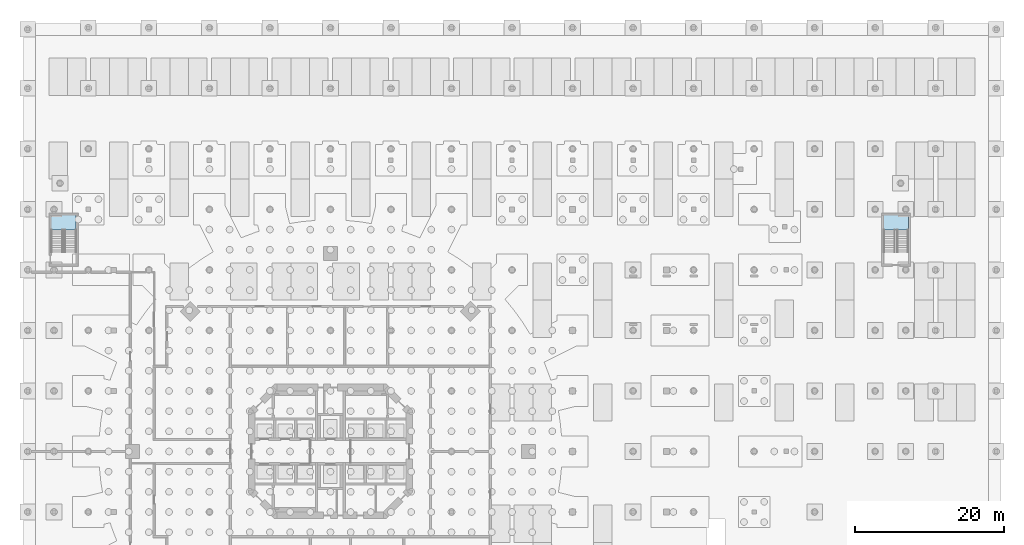
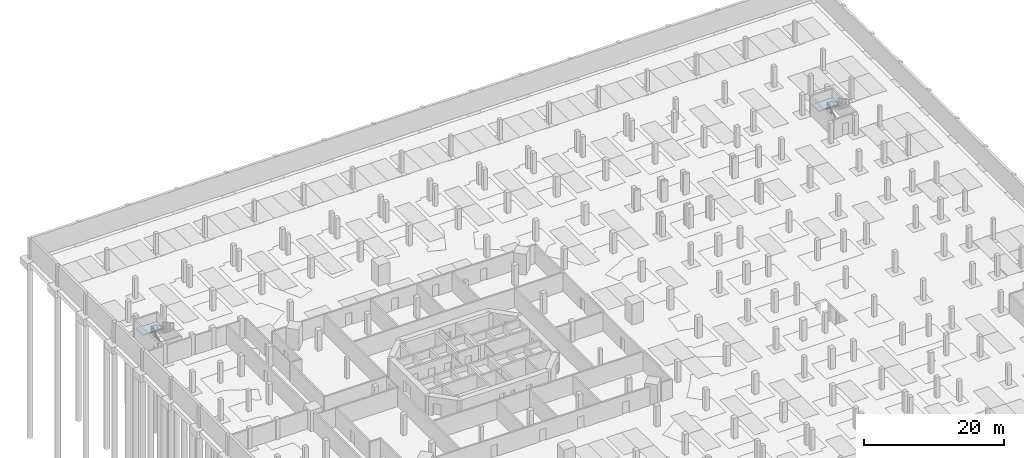
# One storey, part 10 of 23: 2 slabs, 2 elements without a shape of their own.
"""IFC4 building model written with IfcOpenShell, lengths in metres."""

import ifcopenshell
import ifcopenshell.guid

model = None  # the IFC model being written
_history = None  # IfcOwnerHistory: only IFC2X3 demands one
_inside = {}  # id of a spatial element -> (the spatial element, [elements in it])
_under = {}  # id of a project, library or spatial element -> (it, [spatial elements below it])
_declared = {}  # id of a project -> (the project, [libraries it declares])
_typed = {}  # id of a type object -> (the type object, [elements of that type])
_made_of = {}  # id of a material, layer set ... -> (it, [elements and type objects made of it])


def new_model(schema):
    """Start an empty IFC model of exactly this schema.

    Asked for "IFC4X3", IfcOpenShell would pick the latest addendum, in which some entities
    have other attributes; the version numbers below select the first issue.
    IFC2X3 requires an IfcOwnerHistory on every rooted entity: one is made here for all.
    """
    global model, _history
    if schema == "IFC4X3":
        model = ifcopenshell.file(schema_version=(4, 3, 0, 0))
    else:
        model = ifcopenshell.file(schema=schema)
    _inside.clear()
    _under.clear()
    _declared.clear()
    _typed.clear()
    _made_of.clear()
    _history = None
    if model.schema == "IFC2X3":
        org = make("IfcOrganization", Name="unknown")
        user = make(
            "IfcPersonAndOrganization",
            ThePerson=make("IfcPerson", FamilyName="unknown"),
            TheOrganization=org,
        )
        app = make(
            "IfcApplication",
            ApplicationDeveloper=org,
            Version="unknown",
            ApplicationFullName="unknown",
            ApplicationIdentifier="unknown",
        )
        _history = make(
            "IfcOwnerHistory",
            OwningUser=user,
            OwningApplication=app,
            ChangeAction="ADDED",
            CreationDate=0,
        )
    return model


def make(cls, **values):
    """One entity of the class cls with the attributes given. An attribute that is None is left unset."""
    return model.create_entity(
        cls, **{name: value for name, value in values.items() if value is not None}
    )


def rooted(cls, **values):
    """An entity with a GlobalId (a new one), such as an element, a storey or a relation."""
    return make(cls, GlobalId=ifcopenshell.guid.new(), OwnerHistory=_history, **values)


def si_unit(unit_type, name, prefix=None):
    """IfcSIUnit, for example si_unit("LENGTHUNIT", "METRE", prefix="MILLI")."""
    return make("IfcSIUnit", UnitType=unit_type, Prefix=prefix, Name=name)


def assignment(units):
    """IfcUnitAssignment: the units of a project."""
    return None if units is None else make("IfcUnitAssignment", Units=units)


def point(xyz):
    """IfcCartesianPoint."""
    return None if xyz is None else make("IfcCartesianPoint", Coordinates=xyz)


def direction(xyz):
    """IfcDirection."""
    return None if xyz is None else make("IfcDirection", DirectionRatios=xyz)


def frame(location, z_axis=None, x_axis=None):
    """IfcAxis2Placement3D, a coordinate frame: its origin and axes. An axis left out is left unset."""
    return make(
        "IfcAxis2Placement3D",
        Location=point(location),
        Axis=direction(z_axis),
        RefDirection=direction(x_axis),
    )


def origin():
    """The frame at (0, 0, 0) with its axes left unset."""
    return frame((0.0, 0.0, 0.0))


def place(relative_to, where):
    """IfcLocalPlacement: puts the frame where relative to a parent placement (None: the world)."""
    return make(
        "IfcLocalPlacement", PlacementRelTo=relative_to, RelativePlacement=where
    )


def context(
    kind, dimensions, precision=None, world=None, true_north=None, identifier=None
):
    """IfcGeometricRepresentationContext, for example the 3D "Model" context."""
    return make(
        "IfcGeometricRepresentationContext",
        ContextIdentifier=identifier,
        ContextType=kind,
        CoordinateSpaceDimension=dimensions,
        Precision=precision,
        WorldCoordinateSystem=world,
        TrueNorth=true_north,
    )


def subcontext(parent, identifier, kind, view, scale=None):
    """IfcGeometricRepresentationSubContext, for example "Body" below "Model"."""
    return make(
        "IfcGeometricRepresentationSubContext",
        ContextIdentifier=identifier,
        ContextType=kind,
        ParentContext=parent,
        TargetScale=scale,
        TargetView=view,
    )


def project(units=None, contexts=None):
    """IfcProject with its units and contexts."""
    return rooted(
        "IfcProject",
        Name="project",
        RepresentationContexts=contexts,
        UnitsInContext=assignment(units),
    )


def spatial(cls, under=None, at=None, **own):
    """A site, building, storey or space (cls), placed at a placement, below another one or the project."""
    s = rooted(cls, ObjectPlacement=at, **own)
    if under is not None:
        _under.setdefault(under.id(), (under, []))[1].append(s)
    return s


def polyline(points):
    """IfcPolyline through the points."""
    return make("IfcPolyline", Points=[point(p) for p in points])


def outline(outer, holes=None, kind="AREA"):
    """IfcArbitraryClosedProfileDef: a profile drawn as a closed curve; with holes, ...WithVoids."""
    if holes is None:
        return make("IfcArbitraryClosedProfileDef", ProfileType=kind, OuterCurve=outer)
    return make(
        "IfcArbitraryProfileDefWithVoids",
        ProfileType=kind,
        OuterCurve=outer,
        InnerCurves=holes,
    )


def extrude(swept, where, along, depth):
    """IfcExtrudedAreaSolid: the profile swept, set in the frame where, extruded along a direction by depth."""
    return make(
        "IfcExtrudedAreaSolid",
        SweptArea=swept,
        Position=where,
        ExtrudedDirection=direction(along),
        Depth=depth,
    )


def shape(context_of_items, identifier, shape_type, items):
    """IfcShapeRepresentation: the items that make up one representation, for example the "Body"."""
    return make(
        "IfcShapeRepresentation",
        ContextOfItems=context_of_items,
        RepresentationIdentifier=identifier,
        RepresentationType=shape_type,
        Items=items,
    )


def material(Name=None, Category=None):
    """IfcMaterial."""
    return make("IfcMaterial", Name=Name, Category=Category)


def layer(
    of_material, thickness, ventilated=None, Name=None, Category=None, Priority=None
):
    """IfcMaterialLayer: one layer of a wall or slab, of a material (None: an air gap)."""
    return make(
        "IfcMaterialLayer",
        Material=of_material,
        LayerThickness=thickness,
        IsVentilated=ventilated,
        Name=Name,
        Category=Category,
        Priority=Priority,
    )


def layer_set(layers, Name=None):
    """IfcMaterialLayerSet."""
    return make("IfcMaterialLayerSet", MaterialLayers=layers, LayerSetName=Name)


def made_of(thing, what):
    """Note that an element or type object is made of a material, layer set ...; save() writes the relation."""
    if what is not None:
        _made_of.setdefault(what.id(), (what, []))[1].append(thing)
    return thing


def type_object(cls, material=None, **own):
    """A type object (cls), such as IfcWallType, which elements share."""
    return made_of(rooted(cls, **own), material)


def element(
    cls,
    number,
    at=None,
    inside=None,
    cuts=None,
    type_object=None,
    material=None,
    context=None,
    identifier="Body",
    shape_type=None,
    held_by="IfcProductDefinitionShape",
    body=None,
    shapes=None,
    **own,
):
    """One element of the class cls, such as IfcWall. Its Tag is "e" and its number.

    at: its placement. inside: the storey or other place that contains it. cuts: it is an
    opening in that element (IfcRelVoidsElement). A single representation is given by context,
    identifier, shape_type and body (its items); several are given by shapes. held_by: the class
    of the entity that holds the representations. save() writes the other relations.
    """
    e = rooted(cls, Tag="e%d" % number, ObjectPlacement=at, **own)
    if body is not None:
        shapes = [shape(context, identifier, shape_type, body)]
    if shapes is not None:
        e.Representation = make(held_by, Representations=shapes)
    if inside is not None:
        _inside.setdefault(inside.id(), (inside, []))[1].append(e)
    if cuts is not None:
        rooted(
            "IfcRelVoidsElement", RelatingBuildingElement=cuts, RelatedOpeningElement=e
        )
    if type_object is not None:
        _typed.setdefault(type_object.id(), (type_object, []))[1].append(e)
    return made_of(e, material)


def aggregate(whole, parts):
    """IfcRelAggregates: a whole, such as a stair, and the parts it consists of."""
    return rooted("IfcRelAggregates", RelatingObject=whole, RelatedObjects=parts)


def save(model, path):
    """Write the relations noted so far, then the file.

    IfcRelAggregates (storeys below a building ...), IfcRelContainedInSpatialStructure (elements
    in a storey), IfcRelDefinesByType, IfcRelAssociatesMaterial and IfcRelDeclares: one each for
    every whole, place, type object, material and project.
    """
    for whole, parts in _under.values():
        aggregate(whole, parts)
    for where, things in _inside.values():
        rooted(
            "IfcRelContainedInSpatialStructure",
            RelatedElements=things,
            RelatingStructure=where,
        )
    for kind, things in _typed.values():
        rooted("IfcRelDefinesByType", RelatedObjects=things, RelatingType=kind)
    for what, things in _made_of.values():
        rooted("IfcRelAssociatesMaterial", RelatedObjects=things, RelatingMaterial=what)
    for by, libraries in _declared.values():
        rooted("IfcRelDeclares", RelatingContext=by, RelatedDefinitions=libraries)
    model.write(path)


model = new_model("IFC4")

# Units and contexts
model_context = context("Model", 3, precision=1e-05, world=origin(), true_north=direction((0.0, 1.0)))
body_context = subcontext(model_context, "Body", "Model", "MODEL_VIEW")
ifc_project = project(units=[si_unit("LENGTHUNIT", "METRE"), si_unit("AREAUNIT", "SQUARE_METRE"), si_unit("VOLUMEUNIT", "CUBIC_METRE"), si_unit("PLANEANGLEUNIT", "RADIAN"), si_unit("MASSUNIT", "GRAM", prefix="KILO")], contexts=[model_context])

# Site, building, storey
site_placement = place(None, origin())
site = spatial("IfcSite", under=ifc_project, at=site_placement, CompositionType="ELEMENT")
building_placement = place(site_placement, origin())
building = spatial("IfcBuilding", under=site, at=building_placement, Name="Torre Triforio", CompositionType="ELEMENT")
storey_placement = place(building_placement, frame((0.0, 0.0, -10.800048828125)))
storey = spatial("IfcBuildingStorey", under=building, at=storey_placement, Name="B3", CompositionType="ELEMENT", Elevation=-10.800048828125)

# Stair, slab
ifc_material = material(Name="Concrete C40", Category="concrete")
stair_type = type_object("IfcStairType", Name="Egress stair 1400 clear", PredefinedType="NOTDEFINED", material=ifc_material)
stair_1_placement = place(storey_placement, origin())
stair_1 = element("IfcStair", 1, at=stair_1_placement, inside=storey, type_object=stair_type, Name="Exit stair BS2 B3 to B2", PredefinedType="NOTDEFINED")
ifc_layer = layer(ifc_material, 0.199951171875)
ifc_layer_set = layer_set([ifc_layer], Name="Concrete C40")
slab_type = type_object("IfcSlabType", Name="Egress stair landing 200", PredefinedType="LANDING", material=ifc_layer_set)
slab_1_placement = place(storey_placement, frame((0.0, 0.0, 1.60009765625)))
slab_1 = element("IfcSlab", 2, at=slab_1_placement, type_object=slab_type, Name="BS2 landing 1", PredefinedType="LANDING", context=body_context, shape_type="SweptSolid", body=[
    extrude(outline(polyline([(-37.375, 29.675048828125), (-34.02490234375, 29.675048828125), (-34.02490234375, 31.625), (-37.375, 31.625), (-37.375, 29.675048828125)])), origin(), (0.0, 0.0, 1.0), 0.199951171875),
])
aggregate(stair_1, [slab_1])

stair_2_placement = place(storey_placement, origin())
stair_2 = element("IfcStair", 3, at=stair_2_placement, inside=storey, type_object=stair_type, Name="Exit stair BS4 B3 to B2", PredefinedType="NOTDEFINED")
slab_2_placement = place(storey_placement, frame((0.0, 0.0, 1.60009765625)))
slab_2 = element("IfcSlab", 4, at=slab_2_placement, type_object=slab_type, Name="BS4 landing 1", PredefinedType="LANDING", context=body_context, shape_type="SweptSolid", body=[
    extrude(outline(polyline([(74.02490234375, 29.675048828125), (77.375, 29.675048828125), (77.375, 31.625), (74.02490234375, 31.625), (74.02490234375, 29.675048828125)])), origin(), (0.0, 0.0, 1.0), 0.199951171875),
])
aggregate(stair_2, [slab_2])

save(model, "model.ifc")
